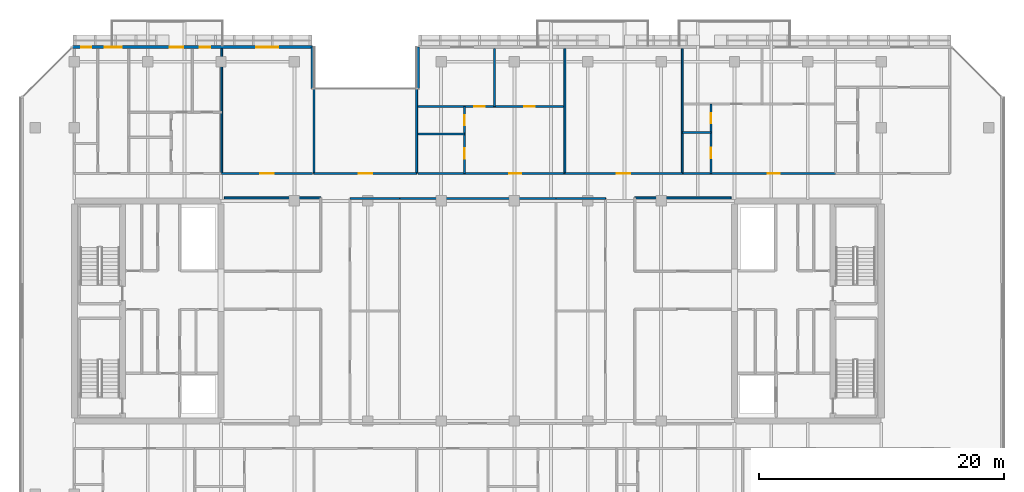
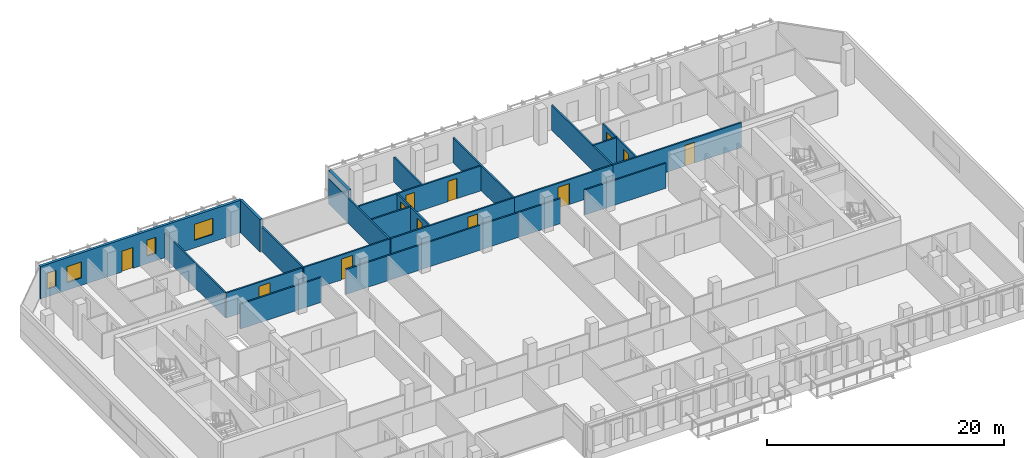
# One storey, part 23 of 31: 24 walls, 12 doors, 4 windows, 16 openings.
"""IFC4 building model written with IfcOpenShell, lengths in metres."""

import ifcopenshell
import ifcopenshell.guid

model = None  # the IFC model being written
_history = None  # IfcOwnerHistory: only IFC2X3 demands one
_inside = {}  # id of a spatial element -> (the spatial element, [elements in it])
_under = {}  # id of a project, library or spatial element -> (it, [spatial elements below it])
_declared = {}  # id of a project -> (the project, [libraries it declares])
_typed = {}  # id of a type object -> (the type object, [elements of that type])
_made_of = {}  # id of a material, layer set ... -> (it, [elements and type objects made of it])


def new_model(schema):
    """Start an empty IFC model of exactly this schema.

    Asked for "IFC4X3", IfcOpenShell would pick the latest addendum, in which some entities
    have other attributes; the version numbers below select the first issue.
    IFC2X3 requires an IfcOwnerHistory on every rooted entity: one is made here for all.
    """
    global model, _history
    if schema == "IFC4X3":
        model = ifcopenshell.file(schema_version=(4, 3, 0, 0))
    else:
        model = ifcopenshell.file(schema=schema)
    _inside.clear()
    _under.clear()
    _declared.clear()
    _typed.clear()
    _made_of.clear()
    _history = None
    if model.schema == "IFC2X3":
        org = make("IfcOrganization", Name="unknown")
        user = make(
            "IfcPersonAndOrganization",
            ThePerson=make("IfcPerson", FamilyName="unknown"),
            TheOrganization=org,
        )
        app = make(
            "IfcApplication",
            ApplicationDeveloper=org,
            Version="unknown",
            ApplicationFullName="unknown",
            ApplicationIdentifier="unknown",
        )
        _history = make(
            "IfcOwnerHistory",
            OwningUser=user,
            OwningApplication=app,
            ChangeAction="ADDED",
            CreationDate=0,
        )
    return model


def make(cls, **values):
    """One entity of the class cls with the attributes given. An attribute that is None is left unset."""
    return model.create_entity(
        cls, **{name: value for name, value in values.items() if value is not None}
    )


def rooted(cls, **values):
    """An entity with a GlobalId (a new one), such as an element, a storey or a relation."""
    return make(cls, GlobalId=ifcopenshell.guid.new(), OwnerHistory=_history, **values)


def si_unit(unit_type, name, prefix=None):
    """IfcSIUnit, for example si_unit("LENGTHUNIT", "METRE", prefix="MILLI")."""
    return make("IfcSIUnit", UnitType=unit_type, Prefix=prefix, Name=name)


def assignment(units):
    """IfcUnitAssignment: the units of a project."""
    return None if units is None else make("IfcUnitAssignment", Units=units)


def point(xyz):
    """IfcCartesianPoint."""
    return None if xyz is None else make("IfcCartesianPoint", Coordinates=xyz)


def direction(xyz):
    """IfcDirection."""
    return None if xyz is None else make("IfcDirection", DirectionRatios=xyz)


def frame(location, z_axis=None, x_axis=None):
    """IfcAxis2Placement3D, a coordinate frame: its origin and axes. An axis left out is left unset."""
    return make(
        "IfcAxis2Placement3D",
        Location=point(location),
        Axis=direction(z_axis),
        RefDirection=direction(x_axis),
    )


def frame_2d(location, x_axis=None):
    """IfcAxis2Placement2D, a coordinate frame in the plane: its origin and x axis."""
    return make(
        "IfcAxis2Placement2D", Location=point(location), RefDirection=direction(x_axis)
    )


def origin():
    """The frame at (0, 0, 0) with its axes left unset."""
    return frame((0.0, 0.0, 0.0))


def place(relative_to, where):
    """IfcLocalPlacement: puts the frame where relative to a parent placement (None: the world)."""
    return make(
        "IfcLocalPlacement", PlacementRelTo=relative_to, RelativePlacement=where
    )


def context(
    kind, dimensions, precision=None, world=None, true_north=None, identifier=None
):
    """IfcGeometricRepresentationContext, for example the 3D "Model" context."""
    return make(
        "IfcGeometricRepresentationContext",
        ContextIdentifier=identifier,
        ContextType=kind,
        CoordinateSpaceDimension=dimensions,
        Precision=precision,
        WorldCoordinateSystem=world,
        TrueNorth=true_north,
    )


def subcontext(parent, identifier, kind, view, scale=None):
    """IfcGeometricRepresentationSubContext, for example "Body" below "Model"."""
    return make(
        "IfcGeometricRepresentationSubContext",
        ContextIdentifier=identifier,
        ContextType=kind,
        ParentContext=parent,
        TargetScale=scale,
        TargetView=view,
    )


def project(units=None, contexts=None):
    """IfcProject with its units and contexts."""
    return rooted(
        "IfcProject",
        Name="project",
        RepresentationContexts=contexts,
        UnitsInContext=assignment(units),
    )


def spatial(cls, under=None, at=None, **own):
    """A site, building, storey or space (cls), placed at a placement, below another one or the project."""
    s = rooted(cls, ObjectPlacement=at, **own)
    if under is not None:
        _under.setdefault(under.id(), (under, []))[1].append(s)
    return s


def profile(cls, at=None, kind="AREA", **sizes):
    """A parametric profile (cls). Its sizes go by their IFC names, for example OverallWidth=200.0."""
    return make(cls, ProfileType=kind, Position=at, **sizes)


def rectangle(**sizes):
    """IfcRectangleProfileDef."""
    return profile("IfcRectangleProfileDef", **sizes)


def extrude(swept, where, along, depth):
    """IfcExtrudedAreaSolid: the profile swept, set in the frame where, extruded along a direction by depth."""
    return make(
        "IfcExtrudedAreaSolid",
        SweptArea=swept,
        Position=where,
        ExtrudedDirection=direction(along),
        Depth=depth,
    )


def shape(context_of_items, identifier, shape_type, items):
    """IfcShapeRepresentation: the items that make up one representation, for example the "Body"."""
    return make(
        "IfcShapeRepresentation",
        ContextOfItems=context_of_items,
        RepresentationIdentifier=identifier,
        RepresentationType=shape_type,
        Items=items,
    )


def material(Name=None, Category=None):
    """IfcMaterial."""
    return make("IfcMaterial", Name=Name, Category=Category)


def layer(
    of_material, thickness, ventilated=None, Name=None, Category=None, Priority=None
):
    """IfcMaterialLayer: one layer of a wall or slab, of a material (None: an air gap)."""
    return make(
        "IfcMaterialLayer",
        Material=of_material,
        LayerThickness=thickness,
        IsVentilated=ventilated,
        Name=Name,
        Category=Category,
        Priority=Priority,
    )


def layer_set(layers, Name=None):
    """IfcMaterialLayerSet."""
    return make("IfcMaterialLayerSet", MaterialLayers=layers, LayerSetName=Name)


def made_of(thing, what):
    """Note that an element or type object is made of a material, layer set ...; save() writes the relation."""
    if what is not None:
        _made_of.setdefault(what.id(), (what, []))[1].append(thing)
    return thing


def type_object(cls, material=None, **own):
    """A type object (cls), such as IfcWallType, which elements share."""
    return made_of(rooted(cls, **own), material)


def element(
    cls,
    number,
    at=None,
    inside=None,
    cuts=None,
    type_object=None,
    material=None,
    context=None,
    identifier="Body",
    shape_type=None,
    held_by="IfcProductDefinitionShape",
    body=None,
    shapes=None,
    **own,
):
    """One element of the class cls, such as IfcWall. Its Tag is "e" and its number.

    at: its placement. inside: the storey or other place that contains it. cuts: it is an
    opening in that element (IfcRelVoidsElement). A single representation is given by context,
    identifier, shape_type and body (its items); several are given by shapes. held_by: the class
    of the entity that holds the representations. save() writes the other relations.
    """
    e = rooted(cls, Tag="e%d" % number, ObjectPlacement=at, **own)
    if body is not None:
        shapes = [shape(context, identifier, shape_type, body)]
    if shapes is not None:
        e.Representation = make(held_by, Representations=shapes)
    if inside is not None:
        _inside.setdefault(inside.id(), (inside, []))[1].append(e)
    if cuts is not None:
        rooted(
            "IfcRelVoidsElement", RelatingBuildingElement=cuts, RelatedOpeningElement=e
        )
    if type_object is not None:
        _typed.setdefault(type_object.id(), (type_object, []))[1].append(e)
    return made_of(e, material)


def fill(opening, filler):
    """IfcRelFillsElement: the door or window that sits in an opening."""
    return rooted(
        "IfcRelFillsElement",
        RelatingOpeningElement=opening,
        RelatedBuildingElement=filler,
    )


def aggregate(whole, parts):
    """IfcRelAggregates: a whole, such as a stair, and the parts it consists of."""
    return rooted("IfcRelAggregates", RelatingObject=whole, RelatedObjects=parts)


def save(model, path):
    """Write the relations noted so far, then the file.

    IfcRelAggregates (storeys below a building ...), IfcRelContainedInSpatialStructure (elements
    in a storey), IfcRelDefinesByType, IfcRelAssociatesMaterial and IfcRelDeclares: one each for
    every whole, place, type object, material and project.
    """
    for whole, parts in _under.values():
        aggregate(whole, parts)
    for where, things in _inside.values():
        rooted(
            "IfcRelContainedInSpatialStructure",
            RelatedElements=things,
            RelatingStructure=where,
        )
    for kind, things in _typed.values():
        rooted("IfcRelDefinesByType", RelatedObjects=things, RelatingType=kind)
    for what, things in _made_of.values():
        rooted("IfcRelAssociatesMaterial", RelatedObjects=things, RelatingMaterial=what)
    for by, libraries in _declared.values():
        rooted("IfcRelDeclares", RelatingContext=by, RelatedDefinitions=libraries)
    model.write(path)


model = new_model("IFC4")

# Units and contexts
model_context = context("Model", 3, precision=1e-05, world=origin(), true_north=direction((0.0, 1.0)))
body_context = subcontext(model_context, "Body", "Model", "MODEL_VIEW")
ifc_project = project(units=[si_unit("LENGTHUNIT", "METRE"), si_unit("AREAUNIT", "SQUARE_METRE"), si_unit("VOLUMEUNIT", "CUBIC_METRE"), si_unit("PLANEANGLEUNIT", "RADIAN"), si_unit("MASSUNIT", "GRAM", prefix="KILO")], contexts=[model_context])

# Site, building, storey
site_placement = place(None, origin())
site = spatial("IfcSite", under=ifc_project, at=site_placement, CompositionType="ELEMENT")
building_placement = place(site_placement, origin())
building = spatial("IfcBuilding", under=site, at=building_placement, Name="Tanjung Sevakor Pilgrim Tower", CompositionType="ELEMENT")
storey_placement = place(building_placement, frame((0.0, 0.0, 169.2900390625)))
storey = spatial("IfcBuildingStorey", under=building, at=storey_placement, Name="L47", CompositionType="ELEMENT", Elevation=169.2900390625)

# Walls
ifc_material_1 = material(Name="Concrete C40/50", Category="concrete")
ifc_layer_1 = layer(ifc_material_1, 0.14990234375)
ifc_layer_set_1 = layer_set([ifc_layer_1], Name="WT-COMP-150")
wall_type_1 = type_object("IfcWallType", Name="WT-COMP-150", PredefinedType="SOLIDWALL", material=ifc_layer_set_1)
for number, where, z_axis, x_axis, name in (
    (1, (36.27001953125, 42.85009765625, 0.0), (0.0, 0.0, 1.0), (1.0, 0.0, 0.0), "L47 Partition IW-L47-037"),
    (2, (69.85009765625, 42.85009765625, 0.0), (0.0, 0.0, 1.0), (1.0, 0.0, 0.0), "L47 Partition IW-L47-043"),
):
    element("IfcWall", number, at=place(storey_placement, frame(where, z_axis=z_axis, x_axis=x_axis)), inside=storey, type_object=wall_type_1, Name=name, PredefinedType="SOLIDWALL", context=body_context, shape_type="SweptSolid", body=[
        extrude(rectangle(XDim=7.8798828125, YDim=0.14990234375, at=frame_2d((3.93994140625, 0.0))), origin(), (0.0, 0.0, 1.0), 2.570068359375),
    ])
wall_1_placement = place(storey_placement, frame((46.550048828125, 42.800048828125, 0.0), z_axis=(0.0, 0.0, 1.0), x_axis=(1.0, 0.0, 0.0)))
element("IfcWall", 3, at=wall_1_placement, inside=storey, type_object=wall_type_1, Name="L47 Partition IW-L47-048", PredefinedType="SOLIDWALL", context=body_context, shape_type="SweptSolid", body=[
    extrude(rectangle(XDim=4.050048828125, YDim=0.14990234375, at=frame_2d((2.02490234375, 0.0))), origin(), (0.0, 0.0, 1.0), 2.570068359375),
])
wall_2_placement = place(storey_placement, frame((50.60009765625, 42.800048828125, 0.0), z_axis=(0.0, 0.0, 1.0), x_axis=(1.0, 0.0, 0.0)))
element("IfcWall", 4, at=wall_2_placement, inside=storey, type_object=wall_type_1, Name="L47 Partition IW-L47-051", PredefinedType="SOLIDWALL", context=body_context, shape_type="SweptSolid", body=[
    extrude(rectangle(XDim=12.7998046875, YDim=0.14990234375, at=frame_2d((6.39990234375, 0.0))), origin(), (0.0, 0.0, 1.0), 2.570068359375),
])
wall_3_placement = place(storey_placement, frame((63.39990234375, 42.800048828125, 0.0), z_axis=(0.0, 0.0, 1.0), x_axis=(1.0, 0.0, 0.0)))
element("IfcWall", 5, at=wall_3_placement, inside=storey, type_object=wall_type_1, Name="L47 Partition IW-L47-057", PredefinedType="SOLIDWALL", context=body_context, shape_type="SweptSolid", body=[
    extrude(rectangle(XDim=4.050048828125, YDim=0.14990234375, at=frame_2d((2.02490234375, 0.0))), origin(), (0.0, 0.0, 1.0), 2.570068359375),
])

# Wall, opening, door
wall_4_placement = place(storey_placement, frame((43.60009765625, 44.85009765625, 0.0), z_axis=(0.0, 0.0, 1.0), x_axis=(1.0, 0.0, 0.0)))
wall_4 = element("IfcWall", 6, at=wall_4_placement, inside=storey, type_object=wall_type_1, Name="L47 Partition IW-L47-062", PredefinedType="SOLIDWALL", context=body_context, shape_type="SweptSolid", body=[
    extrude(rectangle(XDim=8.39990234375, YDim=0.14990234375, at=frame_2d((4.199951171875, 0.0))), origin(), (0.0, 0.0, 1.0), 2.570068359375),
])
opening_1_placement = place(wall_4_placement, frame((3.64990234375, 0.0, 0.0)))
opening_1 = element("IfcOpeningElement", 7, at=opening_1_placement, cuts=wall_4, Name="Opening ID-RM2", PredefinedType="OPENING", context=body_context, shape_type="SweptSolid", body=[
    extrude(rectangle(XDim=1.10009765625, YDim=2.14990234375, at=frame_2d((0.550048828125, 1.074951171875))), frame((0.0, 0.0849609375, 0.0), z_axis=(0.0, -1.0, 0.0), x_axis=(1.0, 0.0, 0.0)), (0.0, 0.0, 1.0), 0.169921875),
])
ifc_material_2 = material(Name="Hardwood Timber", Category="wood")
door_type_1 = type_object("IfcDoorType", Name="DT-INT-1100", OperationType="NOTDEFINED", PredefinedType="DOOR", material=ifc_material_2)
door_1_placement = place(opening_1_placement, origin())
door_1 = element("IfcDoor", 8, at=door_1_placement, inside=storey, type_object=door_type_1, Name="L47 North Cleft Reading Room Door", OperationType="SINGLE_SWING_RIGHT", OverallHeight=2.14990234375, OverallWidth=1.10009765625, PredefinedType="DOOR", context=body_context, shape_type="SweptSolid", body=[
    extrude(rectangle(XDim=1.10009765625, YDim=2.14990234375, at=frame_2d((0.550048828125, 1.074951171875))), frame((0.0, 0.02490234375, 0.0), z_axis=(0.0, -1.0, 0.0), x_axis=(1.0, 0.0, 0.0)), (0.0, 0.0, 1.0), 0.050048828125),
])
fill(opening_1, door_1)

# Walls
for number, where, z_axis, x_axis, name in (
    (9, (43.60009765625, 44.85009765625, 0.0), (0.0, 0.0, 1.0), (0.0, 1.0, 0.0), "L47 Partition IW-L47-063"),
    (10, (52.0, 44.85009765625, 0.0), (0.0, 0.0, 1.0), (0.0, 1.0, 0.0), "L47 Partition IW-L47-064"),
    (11, (36.05126953125, 44.85009765625, 0.0), (0.0, 0.0, 1.0), (0.0, 1.0, 0.0), "L47 Partition IW-L47-102"),
):
    element("IfcWall", number, at=place(storey_placement, frame(where, z_axis=z_axis, x_axis=x_axis)), inside=storey, type_object=wall_type_1, Name=name, PredefinedType="SOLIDWALL", context=body_context, shape_type="SweptSolid", body=[
        extrude(rectangle(XDim=10.199951171875, YDim=0.14990234375, at=frame_2d((5.10009765625, 0.0))), origin(), (0.0, 0.0, 1.0), 2.570068359375),
    ])

# Wall, opening, door
wall_5_placement = place(storey_placement, frame((36.05126953125, 44.85009765625, 0.0), z_axis=(0.0, 0.0, 1.0), x_axis=(1.0, 0.0, 0.0)))
wall_5 = element("IfcWall", 12, at=wall_5_placement, inside=storey, type_object=wall_type_1, Name="L47 Partition IW-L47-108", PredefinedType="SOLIDWALL", context=body_context, shape_type="SweptSolid", body=[
    extrude(rectangle(XDim=7.4287109375, YDim=0.14990234375, at=frame_2d((3.71435546875, 0.0))), origin(), (0.0, 0.0, 1.0), 2.570068359375),
])
opening_2_placement = place(wall_5_placement, frame((3.164306640625, 0.0, 0.0)))
opening_2 = element("IfcOpeningElement", 13, at=opening_2_placement, cuts=wall_5, Name="Opening ID-FD0", PredefinedType="OPENING", context=body_context, shape_type="SweptSolid", body=[
    extrude(rectangle(XDim=1.10009765625, YDim=2.14990234375, at=frame_2d((0.550048828125, 1.074951171875))), frame((0.0, 0.0849609375, 0.0), z_axis=(0.0, -1.0, 0.0), x_axis=(1.0, 0.0, 0.0)), (0.0, 0.0, 1.0), 0.169921875),
])
ifc_material_3 = material(Name="Fire-Rated Steel S355J2", Category="steel")
door_type_2 = type_object("IfcDoorType", Name="DT-FIRE-1100", OperationType="NOTDEFINED", PredefinedType="DOOR", material=ifc_material_3)
door_2_placement = place(opening_2_placement, origin())
door_2 = element("IfcDoor", 14, at=door_2_placement, inside=storey, type_object=door_type_2, Name="Seminar Room Door", OperationType="SINGLE_SWING_RIGHT", OverallHeight=2.14990234375, OverallWidth=1.10009765625, PredefinedType="DOOR", context=body_context, shape_type="SweptSolid", body=[
    extrude(rectangle(XDim=1.10009765625, YDim=2.14990234375, at=frame_2d((0.550048828125, 1.074951171875))), frame((0.0, 0.02490234375, 0.0), z_axis=(0.0, -1.0, 0.0), x_axis=(1.0, 0.0, 0.0)), (0.0, 0.0, 1.0), 0.050048828125),
])
fill(opening_2, door_2)

# Wall
wall_6_placement = place(storey_placement, frame((64.123779296875, 44.85009765625, 0.0), z_axis=(0.0, 0.0, 1.0), x_axis=(0.0, 1.0, 0.0)))
element("IfcWall", 15, at=wall_6_placement, inside=storey, type_object=wall_type_1, Name="L47 Partition IW-L47-110", PredefinedType="SOLIDWALL", context=body_context, shape_type="SweptSolid", body=[
    extrude(rectangle(XDim=10.199951171875, YDim=0.14990234375, at=frame_2d((5.10009765625, 0.0))), origin(), (0.0, 0.0, 1.0), 2.570068359375),
])

# Wall, opening, door
wall_7_placement = place(storey_placement, frame((52.1201171875, 44.85009765625, 0.0), z_axis=(0.0, 0.0, 1.0), x_axis=(1.0, 0.0, 0.0)))
wall_7 = element("IfcWall", 16, at=wall_7_placement, inside=storey, type_object=wall_type_1, Name="L47 Partition IW-L47-115", PredefinedType="SOLIDWALL", context=body_context, shape_type="SweptSolid", body=[
    extrude(rectangle(XDim=12.003662109375, YDim=0.14990234375, at=frame_2d((6.001953125, 0.0))), origin(), (0.0, 0.0, 1.0), 2.570068359375),
])
opening_3_placement = place(wall_7_placement, frame((7.466796875, 0.0, 0.0)))
opening_3 = element("IfcOpeningElement", 17, at=opening_3_placement, cuts=wall_7, Name="Opening ID-FD2", PredefinedType="OPENING", context=body_context, shape_type="SweptSolid", body=[
    extrude(rectangle(XDim=0.949951171875, YDim=2.14990234375, at=frame_2d((0.47509765625, 1.074951171875))), frame((0.0, 0.0849609375, 0.0), z_axis=(0.0, -1.0, 0.0), x_axis=(1.0, 0.0, 0.0)), (0.0, 0.0, 1.0), 0.169921875),
])
ifc_material_4 = material(Name="Fire-Rated Timber", Category="wood")
door_type_3 = type_object("IfcDoorType", Name="DT-FIRE-950", OperationType="NOTDEFINED", PredefinedType="DOOR", material=ifc_material_4)
door_3_placement = place(opening_3_placement, origin())
door_3 = element("IfcDoor", 18, at=door_3_placement, inside=storey, type_object=door_type_3, Name="Suite Entrance", OperationType="SINGLE_SWING_LEFT", OverallHeight=2.14990234375, OverallWidth=0.949951171875, PredefinedType="DOOR", context=body_context, shape_type="SweptSolid", body=[
    extrude(rectangle(XDim=0.949951171875, YDim=2.14990234375, at=frame_2d((0.47509765625, 1.074951171875))), frame((0.0, 0.02490234375, 0.0), z_axis=(0.0, -1.0, 0.0), x_axis=(1.0, 0.0, 0.0)), (0.0, 0.0, 1.0), 0.050048828125),
])
fill(opening_3, door_3)

# Wall
wall_8_placement = place(storey_placement, frame((73.7265625, 44.85009765625, 0.0), z_axis=(0.0, 0.0, 1.0), x_axis=(0.0, 1.0, 0.0)))
element("IfcWall", 19, at=wall_8_placement, inside=storey, type_object=wall_type_1, Name="L47 Partition IW-L47-116", PredefinedType="SOLIDWALL", context=body_context, shape_type="SweptSolid", body=[
    extrude(rectangle(XDim=10.199951171875, YDim=0.14990234375, at=frame_2d((5.10009765625, 0.0))), origin(), (0.0, 0.0, 1.0), 2.570068359375),
])

# Wall, opening, door
wall_9_placement = place(storey_placement, frame((64.123779296875, 44.85009765625, 0.0), z_axis=(0.0, 0.0, 1.0), x_axis=(1.0, 0.0, 0.0)))
wall_9 = element("IfcWall", 20, at=wall_9_placement, inside=storey, type_object=wall_type_1, Name="L47 Partition IW-L47-117", PredefinedType="SOLIDWALL", context=body_context, shape_type="SweptSolid", body=[
    extrude(rectangle(XDim=9.602783203125, YDim=0.14990234375, at=frame_2d((4.80126953125, 0.0))), origin(), (0.0, 0.0, 1.0), 2.570068359375),
])
opening_4_placement = place(wall_9_placement, frame((4.25146484375, 0.0, 0.0)))
opening_4 = element("IfcOpeningElement", 21, at=opening_4_placement, cuts=wall_9, Name="Opening ID-FD0", PredefinedType="OPENING", context=body_context, shape_type="SweptSolid", body=[
    extrude(rectangle(XDim=1.10009765625, YDim=2.14990234375, at=frame_2d((0.550048828125, 1.074951171875))), frame((0.0, 0.0849609375, 0.0), z_axis=(0.0, -1.0, 0.0), x_axis=(1.0, 0.0, 0.0)), (0.0, 0.0, 1.0), 0.169921875),
])
door_4_placement = place(opening_4_placement, origin())
door_4 = element("IfcDoor", 22, at=door_4_placement, inside=storey, type_object=door_type_2, Name="Council Room Door", OperationType="SINGLE_SWING_RIGHT", OverallHeight=2.14990234375, OverallWidth=1.10009765625, PredefinedType="DOOR", context=body_context, shape_type="SweptSolid", body=[
    extrude(rectangle(XDim=1.10009765625, YDim=2.14990234375, at=frame_2d((0.550048828125, 1.074951171875))), frame((0.0, 0.02490234375, 0.0), z_axis=(0.0, -1.0, 0.0), x_axis=(1.0, 0.0, 0.0)), (0.0, 0.0, 1.0), 0.050048828125),
])
fill(opening_4, door_4)

wall_10_placement = place(storey_placement, frame((73.7265625, 44.85009765625, 0.0), z_axis=(0.0, 0.0, 1.0), x_axis=(1.0, 0.0, 0.0)))
wall_10 = element("IfcWall", 23, at=wall_10_placement, inside=storey, type_object=wall_type_1, Name="L47 Partition IW-L47-123", PredefinedType="SOLIDWALL", context=body_context, shape_type="SweptSolid", body=[
    extrude(rectangle(XDim=12.537353515625, YDim=0.14990234375, at=frame_2d((6.2685546875, 0.0))), origin(), (0.0, 0.0, 1.0), 2.570068359375),
])
opening_5_placement = place(wall_10_placement, frame((7.008544921875, 0.0, 0.0)))
opening_5 = element("IfcOpeningElement", 24, at=opening_5_placement, cuts=wall_10, Name="Opening ID-FD2", PredefinedType="OPENING", context=body_context, shape_type="SweptSolid", body=[
    extrude(rectangle(XDim=0.949951171875, YDim=2.14990234375, at=frame_2d((0.47509765625, 1.074951171875))), frame((0.0, 0.0849609375, 0.0), z_axis=(0.0, -1.0, 0.0), x_axis=(1.0, 0.0, 0.0)), (0.0, 0.0, 1.0), 0.169921875),
])
door_5_placement = place(opening_5_placement, origin())
door_5 = element("IfcDoor", 25, at=door_5_placement, inside=storey, type_object=door_type_3, Name="Suite Entrance", OperationType="SINGLE_SWING_LEFT", OverallHeight=2.14990234375, OverallWidth=0.949951171875, PredefinedType="DOOR", context=body_context, shape_type="SweptSolid", body=[
    extrude(rectangle(XDim=0.949951171875, YDim=2.14990234375, at=frame_2d((0.47509765625, 1.074951171875))), frame((0.0, 0.02490234375, 0.0), z_axis=(0.0, -1.0, 0.0), x_axis=(1.0, 0.0, 0.0)), (0.0, 0.0, 1.0), 0.050048828125),
])
fill(opening_5, door_5)

# Walls
ifc_material_5 = material(Name="Precast concrete C45/55", Category="concrete")
ifc_layer_2 = layer(ifc_material_5, 0.25)
ifc_layer_set_2 = layer_set([ifc_layer_2], Name="WT-EW-STN3")
wall_type_2 = type_object("IfcWallType", Name="WT-EW-STN3", PredefinedType="SOLIDWALL", material=ifc_layer_set_2)
for number, where, z_axis, x_axis, name in (
    (26, (52.125, 55.175048828125, 0.0), (0.0, 0.0, 1.0), (0.0, -1.0, 0.0), "L47 MAIN Exterior Wall 10"),
    (27, (43.47509765625, 51.77490234375, 0.0), (0.0, 0.0, 1.0), (0.0, 1.0, 0.0), "L47 MAIN Exterior Wall 12"),
):
    element("IfcWall", number, at=place(storey_placement, frame(where, z_axis=z_axis, x_axis=x_axis)), inside=storey, type_object=wall_type_2, Name=name, PredefinedType="SOLIDWALL", context=body_context, shape_type="SweptSolid", body=[
        extrude(rectangle(XDim=3.400146484375, YDim=0.25, at=frame_2d((1.7001953125, 0.0))), origin(), (0.0, 0.0, 1.0), 3.35009765625),
    ])

# Wall, openings, door, windows
wall_11_placement = place(storey_placement, frame((43.47509765625, 55.175048828125, 0.0), z_axis=(0.0, 0.0, 1.0), x_axis=(-1.0, 0.0, 0.0)))
wall_11 = element("IfcWall", 28, at=wall_11_placement, inside=storey, type_object=wall_type_2, Name="L47 MAIN Exterior Wall 13", PredefinedType="SOLIDWALL", context=body_context, shape_type="SweptSolid", body=[
    extrude(rectangle(XDim=19.623291015625, YDim=0.25, at=frame_2d((9.8115234375, 0.0))), origin(), (0.0, 0.0, 1.0), 3.35009765625),
])
opening_6_placement = place(wall_11_placement, frame((10.574951171875, 0.0, 0.0)))
opening_6 = element("IfcOpeningElement", 29, at=opening_6_placement, cuts=wall_11, Name="Opening ED-BAL-1100", PredefinedType="OPENING", context=body_context, shape_type="SweptSolid", body=[
    extrude(rectangle(XDim=1.10009765625, YDim=2.14990234375, at=frame_2d((0.550048828125, 1.074951171875))), frame((0.0, 0.135009765625, 0.0), z_axis=(0.0, -1.0, 0.0), x_axis=(1.0, 0.0, 0.0)), (0.0, 0.0, 1.0), 0.27001953125),
])
opening_7_placement = place(wall_11_placement, frame((18.080078125, 0.0, 0.780029296875)))
opening_7 = element("IfcOpeningElement", 30, at=opening_7_placement, cuts=wall_11, Name="Opening WN-SLM", PredefinedType="OPENING", context=body_context, shape_type="SweptSolid", body=[
    extrude(rectangle(XDim=0.85009765625, YDim=1.64990234375, at=frame_2d((0.425048828125, 0.824951171875))), frame((0.0, 0.135009765625, 0.0), z_axis=(0.0, -1.0, 0.0), x_axis=(1.0, 0.0, 0.0)), (0.0, 0.0, 1.0), 0.27001953125),
])
opening_8_placement = place(wall_11_placement, frame((15.596435546875, 0.0, 0.780029296875)))
opening_8 = element("IfcOpeningElement", 31, at=opening_8_placement, cuts=wall_11, Name="Opening WN-END", PredefinedType="OPENING", context=body_context, shape_type="SweptSolid", body=[
    extrude(rectangle(XDim=1.39990234375, YDim=1.64990234375, at=frame_2d((0.699951171875, 0.824951171875))), frame((0.0, 0.135009765625, 0.0), z_axis=(0.0, -1.0, 0.0), x_axis=(1.0, 0.0, 0.0)), (0.0, 0.0, 1.0), 0.27001953125),
])
opening_9_placement = place(wall_11_placement, frame((8.368896484375, 0.0, 0.780029296875)))
opening_9 = element("IfcOpeningElement", 32, at=opening_9_placement, cuts=wall_11, Name="Opening WN-SLM", PredefinedType="OPENING", context=body_context, shape_type="SweptSolid", body=[
    extrude(rectangle(XDim=0.85009765625, YDim=1.64990234375, at=frame_2d((0.425048828125, 0.824951171875))), frame((0.0, 0.135009765625, 0.0), z_axis=(0.0, -1.0, 0.0), x_axis=(1.0, 0.0, 0.0)), (0.0, 0.0, 1.0), 0.27001953125),
])
opening_10_placement = place(wall_11_placement, frame((2.809326171875, 0.0, 0.780029296875)))
opening_10 = element("IfcOpeningElement", 33, at=opening_10_placement, cuts=wall_11, Name="Opening WN-Z3-1660", PredefinedType="OPENING", context=body_context, shape_type="SweptSolid", body=[
    extrude(rectangle(XDim=1.800048828125, YDim=1.659912109375, at=frame_2d((0.89990234375, 0.830078125))), frame((0.0, 0.135009765625, 0.0), z_axis=(0.0, -1.0, 0.0), x_axis=(1.0, 0.0, 0.0)), (0.0, 0.0, 1.0), 0.27001953125),
])
ifc_material_6 = material(Name="Anodised Aluminium and Laminated Glass", Category="aluminium")
door_type_4 = type_object("IfcDoorType", Name="DTYP-ED-BAL-1100", OperationType="NOTDEFINED", PredefinedType="DOOR", material=ifc_material_6)
door_6_placement = place(opening_6_placement, frame((1.10009765625, 0.0, 0.0), z_axis=(0.0, 0.0, 1.0), x_axis=(-1.0, 0.0, 0.0)))
door_6 = element("IfcDoor", 34, at=door_6_placement, inside=storey, type_object=door_type_4, Name="L47 Balcony Door MAIN-N1", OperationType="SINGLE_SWING_LEFT", OverallHeight=2.14990234375, OverallWidth=1.10009765625, PredefinedType="DOOR", context=body_context, shape_type="SweptSolid", body=[
    extrude(rectangle(XDim=1.10009765625, YDim=2.14990234375, at=frame_2d((0.550048828125, 1.074951171875))), frame((0.0, 0.02490234375, 0.0), z_axis=(0.0, -1.0, 0.0), x_axis=(1.0, 0.0, 0.0)), (0.0, 0.0, 1.0), 0.050048828125),
])
fill(opening_6, door_6)
ifc_material_7 = material(Name="Thermally Broken Aluminium and Low-E Glass", Category="aluminium")
window_type_1 = type_object("IfcWindowType", Name="WTYP-WN-END", PartitioningType="SINGLE_PANEL", PredefinedType="WINDOW", material=ifc_material_7)
window_1_placement = place(opening_8_placement, origin())
window_1 = element("IfcWindow", 35, at=window_1_placement, inside=storey, type_object=window_type_1, Name="L47 Facade Window 02", OverallHeight=1.64990234375, OverallWidth=1.39990234375, PartitioningType="SINGLE_PANEL", PredefinedType="WINDOW", context=body_context, shape_type="SweptSolid", body=[
    extrude(rectangle(XDim=1.39990234375, YDim=1.64990234375, at=frame_2d((0.699951171875, 0.824951171875))), frame((0.0, 0.030029296875, 0.0), z_axis=(0.0, -1.0, 0.0), x_axis=(1.0, 0.0, 0.0)), (0.0, 0.0, 1.0), 0.06005859375),
])
fill(opening_8, window_1)
ifc_material_8 = material(Name="Thermally Broken Aluminium and Low-E Glass", Category="aluminium")
window_type_2 = type_object("IfcWindowType", Name="WTYP-WN-SLM", PartitioningType="SINGLE_PANEL", PredefinedType="WINDOW", material=ifc_material_8)
window_2_placement = place(opening_7_placement, origin())
window_2 = element("IfcWindow", 36, at=window_2_placement, inside=storey, type_object=window_type_2, Name="L47 Facade Window 01", OverallHeight=1.64990234375, OverallWidth=0.85009765625, PartitioningType="SINGLE_PANEL", PredefinedType="WINDOW", context=body_context, shape_type="SweptSolid", body=[
    extrude(rectangle(XDim=0.85009765625, YDim=1.64990234375, at=frame_2d((0.425048828125, 0.824951171875))), frame((0.0, 0.030029296875, 0.0), z_axis=(0.0, -1.0, 0.0), x_axis=(1.0, 0.0, 0.0)), (0.0, 0.0, 1.0), 0.06005859375),
])
fill(opening_7, window_2)
window_3_placement = place(opening_9_placement, origin())
window_3 = element("IfcWindow", 37, at=window_3_placement, inside=storey, type_object=window_type_2, Name="L47 Facade Window 03", OverallHeight=1.64990234375, OverallWidth=0.85009765625, PartitioningType="SINGLE_PANEL", PredefinedType="WINDOW", context=body_context, shape_type="SweptSolid", body=[
    extrude(rectangle(XDim=0.85009765625, YDim=1.64990234375, at=frame_2d((0.425048828125, 0.824951171875))), frame((0.0, 0.030029296875, 0.0), z_axis=(0.0, -1.0, 0.0), x_axis=(1.0, 0.0, 0.0)), (0.0, 0.0, 1.0), 0.06005859375),
])
fill(opening_9, window_3)
ifc_material_9 = material(Name="Thermally Broken Aluminium and Low-E Glass", Category="aluminium")
window_type_3 = type_object("IfcWindowType", Name="WTYP-WN-Z3-1660", PartitioningType="DOUBLE_PANEL_VERTICAL", PredefinedType="WINDOW", material=ifc_material_9)
window_4_placement = place(opening_10_placement, origin())
window_4 = element("IfcWindow", 38, at=window_4_placement, inside=storey, type_object=window_type_3, Name="L47 Facade Window 04", OverallHeight=1.659912109375, OverallWidth=1.800048828125, PartitioningType="SINGLE_PANEL", PredefinedType="WINDOW", context=body_context, shape_type="SweptSolid", body=[
    extrude(rectangle(XDim=1.800048828125, YDim=1.659912109375, at=frame_2d((0.89990234375, 0.830078125))), frame((0.0, 0.030029296875, 0.0), z_axis=(0.0, -1.0, 0.0), x_axis=(1.0, 0.0, 0.0)), (0.0, 0.0, 1.0), 0.06005859375),
])
fill(opening_10, window_4)

# Wall
ifc_material_10 = material(Name="Gypsum Board Partition", Category="gypsum board")
ifc_layer_3 = layer(ifc_material_10, 0.14990234375)
ifc_layer_set_3 = layer_set([ifc_layer_3], Name="WT-PART-150")
wall_type_3 = type_object("IfcWallType", Name="WT-PART-150", PredefinedType="PARTITIONING", material=ifc_layer_set_3)
wall_12_placement = place(storey_placement, frame((52.1201171875, 48.07958984375, 0.0), z_axis=(0.0, 0.0, 1.0), x_axis=(1.0, 0.0, 0.0)))
element("IfcWall", 39, at=wall_12_placement, inside=storey, type_object=wall_type_3, Name="L47 Partition IW-L47-111", PredefinedType="PARTITIONING", context=body_context, shape_type="SweptSolid", body=[
    extrude(rectangle(XDim=3.7998046875, YDim=0.14990234375, at=frame_2d((1.89990234375, 0.0))), origin(), (0.0, 0.0, 1.0), 2.570068359375),
])

# Wall, openings, doors
wall_13_placement = place(storey_placement, frame((55.919921875, 44.85009765625, 0.0), z_axis=(0.0, 0.0, 1.0), x_axis=(0.0, 1.0, 0.0)))
wall_13 = element("IfcWall", 40, at=wall_13_placement, inside=storey, type_object=wall_type_3, Name="L47 Partition IW-L47-112", PredefinedType="PARTITIONING", context=body_context, shape_type="SweptSolid", body=[
    extrude(rectangle(XDim=5.473876953125, YDim=0.14990234375, at=frame_2d((2.73681640625, 0.0))), origin(), (0.0, 0.0, 1.0), 2.570068359375),
])
opening_11_placement = place(wall_13_placement, frame((1.189697265625, 0.0, 0.0)))
opening_11 = element("IfcOpeningElement", 41, at=opening_11_placement, cuts=wall_13, Name="Opening ID-WC1", PredefinedType="OPENING", context=body_context, shape_type="SweptSolid", body=[
    extrude(rectangle(XDim=0.85009765625, YDim=2.10009765625, at=frame_2d((0.425048828125, 1.050048828125))), frame((0.0, 0.0849609375, 0.0), z_axis=(0.0, -1.0, 0.0), x_axis=(1.0, 0.0, 0.0)), (0.0, 0.0, 1.0), 0.169921875),
])
opening_12_placement = place(wall_13_placement, frame((3.9267578125, 0.0, 0.0)))
opening_12 = element("IfcOpeningElement", 42, at=opening_12_placement, cuts=wall_13, Name="Opening ID-WC1", PredefinedType="OPENING", context=body_context, shape_type="SweptSolid", body=[
    extrude(rectangle(XDim=0.85009765625, YDim=2.10009765625, at=frame_2d((0.425048828125, 1.050048828125))), frame((0.0, 0.0849609375, 0.0), z_axis=(0.0, -1.0, 0.0), x_axis=(1.0, 0.0, 0.0)), (0.0, 0.0, 1.0), 0.169921875),
])
ifc_material_11 = material(Name="Moisture-Resistant Timber", Category="wood")
door_type_5 = type_object("IfcDoorType", Name="DT-INT-850", OperationType="NOTDEFINED", PredefinedType="DOOR", material=ifc_material_11)
door_7_placement = place(opening_11_placement, origin())
door_7 = element("IfcDoor", 43, at=door_7_placement, inside=storey, type_object=door_type_5, Name="Suite Kitchenette Door", OperationType="SINGLE_SWING_LEFT", OverallHeight=2.10009765625, OverallWidth=0.85009765625, PredefinedType="DOOR", context=body_context, shape_type="SweptSolid", body=[
    extrude(rectangle(XDim=0.85009765625, YDim=2.10009765625, at=frame_2d((0.425048828125, 1.050048828125))), frame((0.0, 0.02490234375, 0.0), z_axis=(0.0, -1.0, 0.0), x_axis=(1.0, 0.0, 0.0)), (0.0, 0.0, 1.0), 0.050048828125),
])
fill(opening_11, door_7)
door_8_placement = place(opening_12_placement, origin())
door_8 = element("IfcDoor", 44, at=door_8_placement, inside=storey, type_object=door_type_5, Name="Suite Bathroom Door", OperationType="SINGLE_SWING_RIGHT", OverallHeight=2.10009765625, OverallWidth=0.85009765625, PredefinedType="DOOR", context=body_context, shape_type="SweptSolid", body=[
    extrude(rectangle(XDim=0.85009765625, YDim=2.10009765625, at=frame_2d((0.425048828125, 1.050048828125))), frame((0.0, 0.02490234375, 0.0), z_axis=(0.0, -1.0, 0.0), x_axis=(1.0, 0.0, 0.0)), (0.0, 0.0, 1.0), 0.050048828125),
])
fill(opening_12, door_8)

# Wall
wall_14_placement = place(storey_placement, frame((58.36181640625, 50.323974609375, 0.0), z_axis=(0.0, 0.0, 1.0), x_axis=(0.0, 1.0, 0.0)))
element("IfcWall", 45, at=wall_14_placement, inside=storey, type_object=wall_type_3, Name="L47 Partition IW-L47-113", PredefinedType="PARTITIONING", context=body_context, shape_type="SweptSolid", body=[
    extrude(rectangle(XDim=4.72607421875, YDim=0.14990234375, at=frame_2d((2.363037109375, 0.0))), origin(), (0.0, 0.0, 1.0), 2.570068359375),
])

# Wall, openings, doors
wall_15_placement = place(storey_placement, frame((52.1201171875, 50.323974609375, 0.0), z_axis=(0.0, 0.0, 1.0), x_axis=(1.0, 0.0, 0.0)))
wall_15 = element("IfcWall", 46, at=wall_15_placement, inside=storey, type_object=wall_type_3, Name="L47 Partition IW-L47-114", PredefinedType="PARTITIONING", context=body_context, shape_type="SweptSolid", body=[
    extrude(rectangle(XDim=12.003662109375, YDim=0.14990234375, at=frame_2d((6.001953125, 0.0))), origin(), (0.0, 0.0, 1.0), 2.570068359375),
])
opening_13_placement = place(wall_15_placement, frame((4.595947265625, 0.0, 0.0)))
opening_13 = element("IfcOpeningElement", 47, at=opening_13_placement, cuts=wall_15, Name="Opening ID-WC1", PredefinedType="OPENING", context=body_context, shape_type="SweptSolid", body=[
    extrude(rectangle(XDim=0.85009765625, YDim=2.10009765625, at=frame_2d((0.425048828125, 1.050048828125))), frame((0.0, 0.0849609375, 0.0), z_axis=(0.0, -1.0, 0.0), x_axis=(1.0, 0.0, 0.0)), (0.0, 0.0, 1.0), 0.169921875),
])
opening_14_placement = place(wall_15_placement, frame((8.69775390625, 0.0, 0.0)))
opening_14 = element("IfcOpeningElement", 48, at=opening_14_placement, cuts=wall_15, Name="Opening ID-WC1", PredefinedType="OPENING", context=body_context, shape_type="SweptSolid", body=[
    extrude(rectangle(XDim=0.85009765625, YDim=2.10009765625, at=frame_2d((0.425048828125, 1.050048828125))), frame((0.0, 0.0849609375, 0.0), z_axis=(0.0, -1.0, 0.0), x_axis=(1.0, 0.0, 0.0)), (0.0, 0.0, 1.0), 0.169921875),
])
door_9_placement = place(opening_13_placement, origin())
door_9 = element("IfcDoor", 49, at=door_9_placement, inside=storey, type_object=door_type_5, Name="Suite Bedroom 1 Door", OperationType="SINGLE_SWING_LEFT", OverallHeight=2.10009765625, OverallWidth=0.85009765625, PredefinedType="DOOR", context=body_context, shape_type="SweptSolid", body=[
    extrude(rectangle(XDim=0.85009765625, YDim=2.10009765625, at=frame_2d((0.425048828125, 1.050048828125))), frame((0.0, 0.02490234375, 0.0), z_axis=(0.0, -1.0, 0.0), x_axis=(1.0, 0.0, 0.0)), (0.0, 0.0, 1.0), 0.050048828125),
])
fill(opening_13, door_9)
door_10_placement = place(opening_14_placement, origin())
door_10 = element("IfcDoor", 50, at=door_10_placement, inside=storey, type_object=door_type_5, Name="Suite Bedroom 2 Door", OperationType="SINGLE_SWING_RIGHT", OverallHeight=2.10009765625, OverallWidth=0.85009765625, PredefinedType="DOOR", context=body_context, shape_type="SweptSolid", body=[
    extrude(rectangle(XDim=0.85009765625, YDim=2.10009765625, at=frame_2d((0.425048828125, 1.050048828125))), frame((0.0, 0.02490234375, 0.0), z_axis=(0.0, -1.0, 0.0), x_axis=(1.0, 0.0, 0.0)), (0.0, 0.0, 1.0), 0.050048828125),
])
fill(opening_14, door_10)

# Wall
wall_16_placement = place(storey_placement, frame((73.7265625, 48.1982421875, 0.0), z_axis=(0.0, 0.0, 1.0), x_axis=(1.0, 0.0, 0.0)))
element("IfcWall", 51, at=wall_16_placement, inside=storey, type_object=wall_type_3, Name="L47 Partition IW-L47-119", PredefinedType="PARTITIONING", context=body_context, shape_type="SweptSolid", body=[
    extrude(rectangle(XDim=2.35009765625, YDim=0.14990234375, at=frame_2d((1.175048828125, 0.0))), origin(), (0.0, 0.0, 1.0), 2.570068359375),
])

# Wall, openings, doors
wall_17_placement = place(storey_placement, frame((76.07666015625, 44.85009765625, 0.0), z_axis=(0.0, 0.0, 1.0), x_axis=(0.0, 1.0, 0.0)))
wall_17 = element("IfcWall", 52, at=wall_17_placement, inside=storey, type_object=wall_type_3, Name="L47 Partition IW-L47-120", PredefinedType="PARTITIONING", context=body_context, shape_type="SweptSolid", body=[
    extrude(rectangle(XDim=5.6748046875, YDim=0.14990234375, at=frame_2d((2.83740234375, 0.0))), origin(), (0.0, 0.0, 1.0), 2.570068359375),
])
opening_15_placement = place(wall_17_placement, frame((1.249267578125, 0.0, 0.0)))
opening_15 = element("IfcOpeningElement", 53, at=opening_15_placement, cuts=wall_17, Name="Opening ID-WC1", PredefinedType="OPENING", context=body_context, shape_type="SweptSolid", body=[
    extrude(rectangle(XDim=0.85009765625, YDim=2.10009765625, at=frame_2d((0.425048828125, 1.050048828125))), frame((0.0, 0.0849609375, 0.0), z_axis=(0.0, -1.0, 0.0), x_axis=(1.0, 0.0, 0.0)), (0.0, 0.0, 1.0), 0.169921875),
])
opening_16_placement = place(wall_17_placement, frame((4.086669921875, 0.0, 0.0)))
opening_16 = element("IfcOpeningElement", 54, at=opening_16_placement, cuts=wall_17, Name="Opening ID-WC1", PredefinedType="OPENING", context=body_context, shape_type="SweptSolid", body=[
    extrude(rectangle(XDim=0.85009765625, YDim=2.10009765625, at=frame_2d((0.425048828125, 1.050048828125))), frame((0.0, 0.0849609375, 0.0), z_axis=(0.0, -1.0, 0.0), x_axis=(1.0, 0.0, 0.0)), (0.0, 0.0, 1.0), 0.169921875),
])
door_11_placement = place(opening_15_placement, origin())
door_11 = element("IfcDoor", 55, at=door_11_placement, inside=storey, type_object=door_type_5, Name="Suite Kitchenette Door", OperationType="SINGLE_SWING_LEFT", OverallHeight=2.10009765625, OverallWidth=0.85009765625, PredefinedType="DOOR", context=body_context, shape_type="SweptSolid", body=[
    extrude(rectangle(XDim=0.85009765625, YDim=2.10009765625, at=frame_2d((0.425048828125, 1.050048828125))), frame((0.0, 0.02490234375, 0.0), z_axis=(0.0, -1.0, 0.0), x_axis=(1.0, 0.0, 0.0)), (0.0, 0.0, 1.0), 0.050048828125),
])
fill(opening_15, door_11)
door_12_placement = place(opening_16_placement, origin())
door_12 = element("IfcDoor", 56, at=door_12_placement, inside=storey, type_object=door_type_5, Name="Suite Bathroom Door", OperationType="SINGLE_SWING_RIGHT", OverallHeight=2.10009765625, OverallWidth=0.85009765625, PredefinedType="DOOR", context=body_context, shape_type="SweptSolid", body=[
    extrude(rectangle(XDim=0.85009765625, YDim=2.10009765625, at=frame_2d((0.425048828125, 1.050048828125))), frame((0.0, 0.02490234375, 0.0), z_axis=(0.0, -1.0, 0.0), x_axis=(1.0, 0.0, 0.0)), (0.0, 0.0, 1.0), 0.050048828125),
])
fill(opening_16, door_12)

save(model, "model.ifc")
